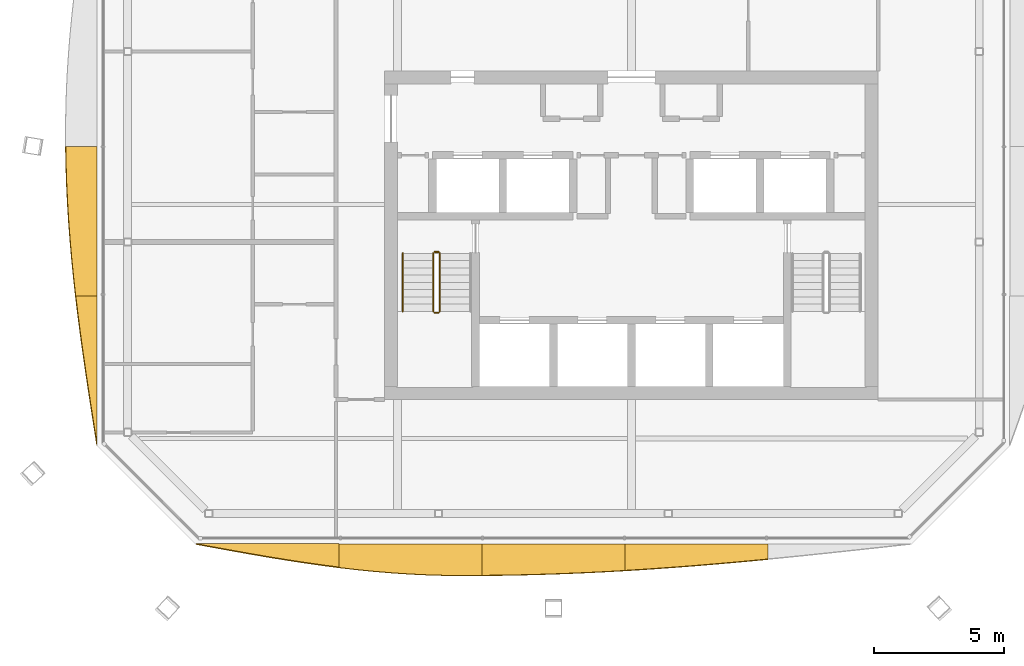
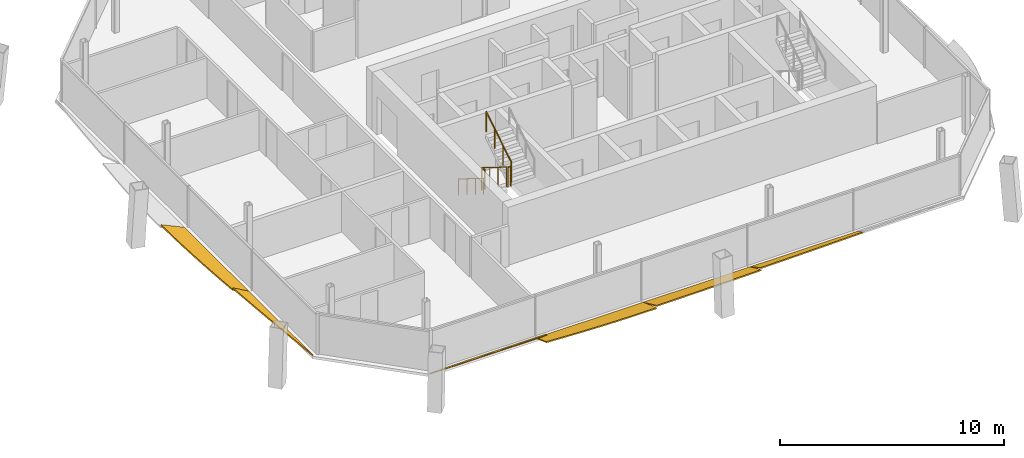
# One storey, part 13 of 16: 6 shading devices, 5 railings.
"""IFC4 building model written with IfcOpenShell, lengths in metres."""

from ifc_helpers import new_model, si_unit, direction, frame, origin, origin_2d, place, context, subcontext, project, spatial, polyline, circle, outline, extrude, material, layer, layer_set, type_object, element, save


model = new_model("IFC4")

# Units and contexts
model_context = context("Model", 3, precision=1e-05, world=origin(), true_north=direction((0.0, 1.0)))
body_context = subcontext(model_context, "Body", "Model", "MODEL_VIEW")
ifc_project = project(units=[si_unit("LENGTHUNIT", "METRE"), si_unit("AREAUNIT", "SQUARE_METRE"), si_unit("VOLUMEUNIT", "CUBIC_METRE"), si_unit("PLANEANGLEUNIT", "RADIAN"), si_unit("MASSUNIT", "GRAM", prefix="KILO")], contexts=[model_context])

# Site, building, storey
site_placement = place(None, origin())
site = spatial("IfcSite", under=ifc_project, at=site_placement, CompositionType="ELEMENT")
building_placement = place(site_placement, origin())
building = spatial("IfcBuilding", under=site, at=building_placement, Name="Tskaro Facet Tower", CompositionType="ELEMENT")
storey_placement = place(building_placement, frame((0.0, 0.0, 251.85009765625)))
storey = spatial("IfcBuildingStorey", under=building, at=storey_placement, Name="L66", CompositionType="ELEMENT", Elevation=251.85009765625)

# Shading devices
ifc_material_1 = material(Name="Bronze anodised aluminium 6063-T6", Category="aluminium")
ifc_layer = layer(ifc_material_1, 0.06005859375, Name="Bronze anodised aluminium 6063-T6")
ifc_layer_set = layer_set([ifc_layer], Name="Bronze anodised aluminium 6063-T6")
shading_device_type = type_object("IfcShadingDeviceType", Name="Bronze sun blade (FN1)", PredefinedType="USERDEFINED", material=ifc_layer_set)
shading_device_1_placement = place(storey_placement, frame((-16.764892578125, -17.552490234375, 0.0458984375), z_axis=(-1.0929056e-05, 0.64275903439, 0.766068419654), x_axis=(0.99999999994, 7.024749e-06, 8.372404e-06)))
element("IfcShadingDevice", 1, at=shading_device_1_placement, inside=storey, type_object=shading_device_type, Name="Fin blade south 1", ObjectType="FIN", PredefinedType="USERDEFINED", context=body_context, shape_type="SweptSolid", body=[
    extrude(outline(polyline([(0.0, 0.0), (5.505859374671179, -4.66364429357397e-21), (5.505859375311076, -1.1747514376217953), (4.817626953655421, -1.0581234920213354), (4.129394530046343, -0.9295539398216115), (3.4411621098880008, -0.790732436268075), (2.7529296873073394, -0.643438951097342), (2.0646972653354543, -0.48886226394730603), (1.3764648439024063, -0.3289091633165848), (0.6882324208942112, -0.1653295141114064), (0.0, 0.0)])), origin(), (0.0, 0.0, -1.0), 0.06005859375),
])
shading_device_2_placement = place(storey_placement, frame((-11.259033203125, -17.570556640625, 0.056396484375), z_axis=(-1.3444617e-05, 0.341946169461, 0.939719541677), x_axis=(0.99999999991, 4.597335e-06, 1.2634169e-05)))
element("IfcShadingDevice", 2, at=shading_device_2_placement, inside=storey, type_object=shading_device_type, Name="Fin blade south 2", ObjectType="FIN", PredefinedType="USERDEFINED", context=body_context, shape_type="SweptSolid", body=[
    extrude(outline(polyline([(0.0, 0.0), (5.506103515127365, 0.0), (5.50610351644576, -1.2834555051396133), (4.81787109266254, -1.286000191156727), (4.790283202040034, -1.286000191156727), (4.129638671149023, -1.2795132516866385), (3.441162107929651, -1.2589677725082984), (2.75292968733889, -1.2244472365732426), (2.0646972653845745, -1.1766399150302231), (1.3764648451512194, -1.115629290830776), (0.6882324221492386, -1.0423330588399033), (-8.195283187805967e-10, -0.9576064561094287), (0.0, 0.0)])), origin(), (0.0, 0.0, -1.0), 0.06005859375),
])
shading_device_3_placement = place(storey_placement, frame((-5.7529296875, -17.565673828125, 0.05419921875), z_axis=(-4.675144e-06, 0.422660277858, 0.906288193401), x_axis=(0.999999999989, 1.975998e-06, 4.237028e-06)))
element("IfcShadingDevice", 3, at=shading_device_3_placement, inside=storey, type_object=shading_device_type, Name="Fin blade south 3", ObjectType="FIN", PredefinedType="USERDEFINED", context=body_context, shape_type="SweptSolid", body=[
    extrude(outline(polyline([(0.0, 0.0), (5.5058593749398295, -2.331822146786985e-21), (5.5058593754193055, -1.1250004191803802), (4.817626952842696, -1.167492541944782), (4.129394530743813, -1.2057221566428695), (3.441162109053068, -1.2391435511983038), (2.752929688252884, -1.267535463845115), (2.064697265309555, -1.2911340410264427), (1.3764648437392075, -1.3094818745331775), (0.6882324220249892, -1.3226970375868896), (1.6690011509251944e-10, -1.3307795301875784), (0.0, 0.0)])), origin(), (0.0, 0.0, -1.0), 0.06005859375),
])
shading_device_4_placement = place(storey_placement, frame((-0.2470703125, -17.56103515625, 0.0517578125), z_axis=(-1.5338986e-05, 0.50009606339, 0.86596993432), x_axis=(0.999999999882, 7.670967e-06, 1.3283101e-05)))
element("IfcShadingDevice", 4, at=shading_device_4_placement, inside=storey, type_object=shading_device_type, Name="Fin blade south 4", ObjectType="FIN", PredefinedType="USERDEFINED", context=body_context, shape_type="SweptSolid", body=[
    extrude(outline(polyline([(0.0, 0.0), (5.50610351497725, 4.663851088727108e-21), (5.506103514902101, -0.6712662356203899), (4.817871093855523, -0.7468509114650399), (4.129638670709072, -0.8192553281000258), (3.441406250578491, -0.8883901608498167), (2.7531738283480376, -0.9543447343899434), (2.064941408265947, -1.0161512811908313), (1.376464842718713, -1.0741105443690322), (0.6882324199448131, -1.1279217808079944), (-2.050874435902467e-09, -1.1772514783012062), (0.0, 0.0)])), origin(), (0.0, 0.0, -1.0), 0.06005859375),
])
shading_device_5_placement = place(storey_placement, frame((-20.565673828125, -2.271484375, 0.05419921875), z_axis=(0.422674839168, 5.022498e-06, 0.906281402385), x_axis=(2.122884e-06, -0.999999999987, 4.551797e-06)))
element("IfcShadingDevice", 5, at=shading_device_5_placement, inside=storey, type_object=shading_device_type, Name="Fin blade west 3", ObjectType="FIN", PredefinedType="USERDEFINED", context=body_context, shape_type="SweptSolid", body=[
    extrude(outline(polyline([(0.0, 0.0), (5.746826171802517, 0.0), (5.746826172196234, -0.9084102565675556), (5.028320312191656, -0.9959017986803586), (4.3100585932462065, -1.0745438757378187), (3.591796875178459, -1.1435695153165073), (2.873291015140859, -1.202772333217609), (2.1550292975678054, -1.2513704811085042), (1.4367675785004685, -1.28905438269097), (0.7182617183504141, -1.3153815177489918), (-2.8032309872646143e-12, -1.3302338182739712), (0.0, 0.0)])), origin(), (0.0, 0.0, -1.0), 0.06005859375),
])
shading_device_6_placement = place(storey_placement, frame((-20.56103515625, -8.018310546875, 0.0517578125), z_axis=(0.500213358527, -6.03242e-07, 0.865902186134), x_axis=(-3.0175e-07, -1.0, -5.22349e-07)))
element("IfcShadingDevice", 6, at=shading_device_6_placement, inside=storey, type_object=shading_device_type, Name="Fin blade west 4", ObjectType="FIN", PredefinedType="USERDEFINED", context=body_context, shape_type="SweptSolid", body=[
    extrude(outline(polyline([(0.0, 0.0), (5.746582031248955, 0.0), (5.028320312430896, -0.13060788385379488), (4.310058593700741, -0.2600037928979912), (3.5915527343938614, -0.3870978747249745), (2.87329101559311, -0.5109223993291143), (2.1550292968889133, -0.6301432694988282), (1.4365234374891211, -0.7437927552284854), (0.7182617188789742, -0.8510816855103108), (-8.54401228793063e-12, -0.950741648938835), (0.0, 0.0)])), origin(), (0.0, 0.0, -1.0), 0.06005859375),
])

# Railings
ifc_material_2 = material(Name="Stainless steel", Category="steel")
railing_type_1 = type_object("IfcRailingType", Name="RL-GUARD-1100", PredefinedType="GUARDRAIL", material=ifc_material_2)
railing_1_placement = place(storey_placement, frame((-7.625, -6.375, 0.1748046875)))
element("IfcRailing", 7, at=railing_1_placement, inside=storey, type_object=railing_type_1, Name="L66 ST-1 stair guard 1", PredefinedType="GUARDRAIL", context=body_context, shape_type="SweptSolid", body=[
    extrude(circle(Radius=0.02392578125, at=origin_2d()), frame((0.0, 0.0, 1.076171875), z_axis=(0.0, -0.847972341737, 0.530040477369), x_axis=(1.0, 0.0, 0.0)), (0.0, 0.0, 1.0), 2.6416015625),
    extrude(circle(Radius=0.02099609375, at=origin_2d()), origin(), (0.0, 0.0, 1.0), 1.052001953125),
    extrude(circle(Radius=0.02099609375, at=origin_2d()), frame((0.0, -0.74658203125, 0.466796875)), (0.0, 0.0, 1.0), 1.052001953125),
    extrude(circle(Radius=0.02099609375, at=origin_2d()), frame((0.0, -1.493408203125, 0.933349609375)), (0.0, 0.0, 1.0), 1.052001953125),
    extrude(circle(Radius=0.02099609375, at=origin_2d()), frame((0.0, -2.239990234375, 1.400146484375)), (0.0, 0.0, 1.0), 1.052001953125),
])
railing_2_placement = place(storey_placement, frame((-7.574951171875, -8.6650390625, 1.574951171875)))
element("IfcRailing", 8, at=railing_2_placement, inside=storey, type_object=railing_type_1, Name="L66 ST-1 stair guard 2", PredefinedType="GUARDRAIL", context=body_context, shape_type="SweptSolid", body=[
    extrude(circle(Radius=0.02392578125, at=origin_2d()), frame((0.0, 0.0, 1.076171875), z_axis=(1.0, 0.0, 0.0), x_axis=(0.0, 1.0, 0.0)), (0.0, 0.0, 1.0), 0.14990234375),
    extrude(circle(Radius=0.02099609375, at=origin_2d()), origin(), (0.0, 0.0, 1.0), 1.052001953125),
    extrude(circle(Radius=0.02099609375, at=origin_2d()), frame((0.14990234375, 0.0, 0.0)), (0.0, 0.0, 1.0), 1.052001953125),
])
railing_3_placement = place(storey_placement, frame((-7.375, -8.614990234375, 1.75)))
element("IfcRailing", 9, at=railing_3_placement, inside=storey, type_object=railing_type_1, Name="L66 ST-1 stair guard 3", PredefinedType="GUARDRAIL", context=body_context, shape_type="SweptSolid", body=[
    extrude(circle(Radius=0.02392578125, at=origin_2d()), frame((0.0, 0.0, 1.076171875), z_axis=(0.0, 0.848013881152, 0.529974015752), x_axis=(-1.0, 0.0, 0.0)), (0.0, 0.0, 1.0), 2.641357421875),
    extrude(circle(Radius=0.02099609375, at=origin_2d()), origin(), (0.0, 0.0, 1.0), 1.052001953125),
    extrude(circle(Radius=0.02099609375, at=origin_2d()), frame((0.0, 0.74658203125, 0.466552734375)), (0.0, 0.0, 1.0), 1.052001953125),
    extrude(circle(Radius=0.02099609375, at=origin_2d()), frame((0.0, 1.493408203125, 0.933349609375)), (0.0, 0.0, 1.0), 1.052001953125),
    extrude(circle(Radius=0.02099609375, at=origin_2d()), frame((0.0, 2.239990234375, 1.39990234375)), (0.0, 0.0, 1.0), 1.052001953125),
])
railing_4_placement = place(storey_placement, frame((-7.574951171875, -6.324951171875, 0.0)))
element("IfcRailing", 10, at=railing_4_placement, inside=storey, type_object=railing_type_1, Name="L66 ST-1 stair guard 4", PredefinedType="GUARDRAIL", context=body_context, shape_type="SweptSolid", body=[
    extrude(circle(Radius=0.02392578125, at=origin_2d()), frame((0.0, 0.0, 1.076171875), z_axis=(1.0, 0.0, 0.0), x_axis=(0.0, 1.0, 0.0)), (0.0, 0.0, 1.0), 0.14990234375),
    extrude(circle(Radius=0.02099609375, at=origin_2d()), origin(), (0.0, 0.0, 1.0), 1.052001953125),
    extrude(circle(Radius=0.02099609375, at=origin_2d()), frame((0.14990234375, 0.0, 0.0)), (0.0, 0.0, 1.0), 1.052001953125),
])
railing_type_2 = type_object("IfcRailingType", Name="RL-HANDRAIL-900", PredefinedType="HANDRAIL", material=ifc_material_2)
railing_5_placement = place(storey_placement, frame((-8.800048828125, -6.375, 0.1748046875)))
element("IfcRailing", 11, at=railing_5_placement, inside=storey, type_object=railing_type_2, Name="L66 ST-1 stair handrail 1", PredefinedType="HANDRAIL", context=body_context, shape_type="SweptSolid", body=[
    extrude(circle(Radius=0.02392578125, at=origin_2d()), frame((0.0, 0.0, 0.8759765625), z_axis=(0.0, -0.847972341737, 0.530040477369), x_axis=(1.0, 0.0, 0.0)), (0.0, 0.0, 1.0), 2.6416015625),
    extrude(circle(Radius=0.02099609375, at=origin_2d()), origin(), (0.0, 0.0, 1.0), 0.851806640625),
    extrude(circle(Radius=0.02099609375, at=origin_2d()), frame((0.0, -0.74658203125, 0.466796875)), (0.0, 0.0, 1.0), 0.851806640625),
    extrude(circle(Radius=0.02099609375, at=origin_2d()), frame((0.0, -1.493408203125, 0.933349609375)), (0.0, 0.0, 1.0), 0.851806640625),
    extrude(circle(Radius=0.02099609375, at=origin_2d()), frame((0.0, -2.239990234375, 1.400146484375)), (0.0, 0.0, 1.0), 0.851806640625),
])

save(model, "model.ifc")
